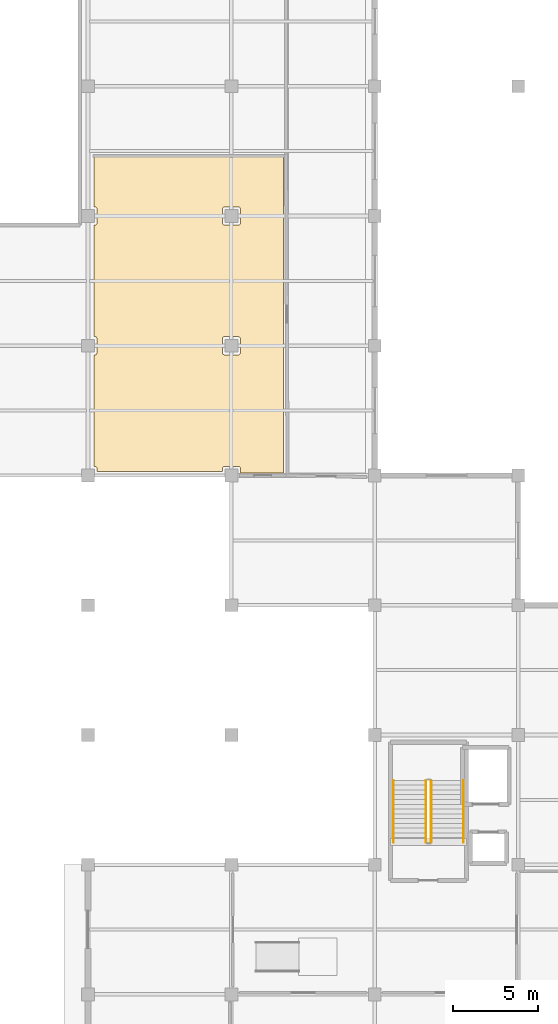
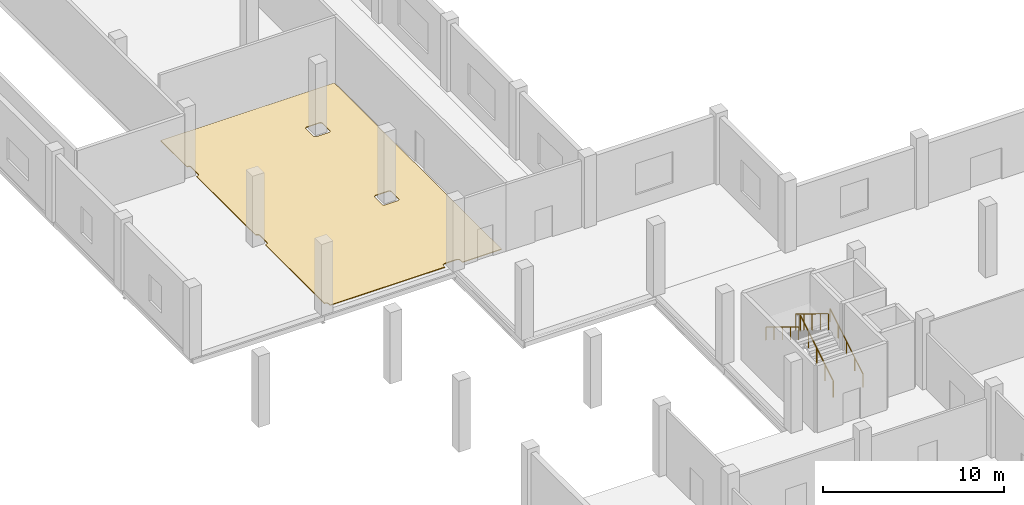
# One storey, part 29 of 36: 4 railings, 1 covering.
"""IFC4 building model written with IfcOpenShell, lengths in metres."""

import ifcopenshell
import ifcopenshell.guid

model = None  # the IFC model being written
_history = None  # IfcOwnerHistory: only IFC2X3 demands one
_inside = {}  # id of a spatial element -> (the spatial element, [elements in it])
_under = {}  # id of a project, library or spatial element -> (it, [spatial elements below it])
_declared = {}  # id of a project -> (the project, [libraries it declares])
_typed = {}  # id of a type object -> (the type object, [elements of that type])
_made_of = {}  # id of a material, layer set ... -> (it, [elements and type objects made of it])


def new_model(schema):
    """Start an empty IFC model of exactly this schema.

    Asked for "IFC4X3", IfcOpenShell would pick the latest addendum, in which some entities
    have other attributes; the version numbers below select the first issue.
    IFC2X3 requires an IfcOwnerHistory on every rooted entity: one is made here for all.
    """
    global model, _history
    if schema == "IFC4X3":
        model = ifcopenshell.file(schema_version=(4, 3, 0, 0))
    else:
        model = ifcopenshell.file(schema=schema)
    _inside.clear()
    _under.clear()
    _declared.clear()
    _typed.clear()
    _made_of.clear()
    _history = None
    if model.schema == "IFC2X3":
        org = make("IfcOrganization", Name="unknown")
        user = make(
            "IfcPersonAndOrganization",
            ThePerson=make("IfcPerson", FamilyName="unknown"),
            TheOrganization=org,
        )
        app = make(
            "IfcApplication",
            ApplicationDeveloper=org,
            Version="unknown",
            ApplicationFullName="unknown",
            ApplicationIdentifier="unknown",
        )
        _history = make(
            "IfcOwnerHistory",
            OwningUser=user,
            OwningApplication=app,
            ChangeAction="ADDED",
            CreationDate=0,
        )
    return model


def make(cls, **values):
    """One entity of the class cls with the attributes given. An attribute that is None is left unset."""
    return model.create_entity(
        cls, **{name: value for name, value in values.items() if value is not None}
    )


def rooted(cls, **values):
    """An entity with a GlobalId (a new one), such as an element, a storey or a relation."""
    return make(cls, GlobalId=ifcopenshell.guid.new(), OwnerHistory=_history, **values)


def si_unit(unit_type, name, prefix=None):
    """IfcSIUnit, for example si_unit("LENGTHUNIT", "METRE", prefix="MILLI")."""
    return make("IfcSIUnit", UnitType=unit_type, Prefix=prefix, Name=name)


def assignment(units):
    """IfcUnitAssignment: the units of a project."""
    return None if units is None else make("IfcUnitAssignment", Units=units)


def point(xyz):
    """IfcCartesianPoint."""
    return None if xyz is None else make("IfcCartesianPoint", Coordinates=xyz)


def direction(xyz):
    """IfcDirection."""
    return None if xyz is None else make("IfcDirection", DirectionRatios=xyz)


def frame(location, z_axis=None, x_axis=None):
    """IfcAxis2Placement3D, a coordinate frame: its origin and axes. An axis left out is left unset."""
    return make(
        "IfcAxis2Placement3D",
        Location=point(location),
        Axis=direction(z_axis),
        RefDirection=direction(x_axis),
    )


def frame_2d(location, x_axis=None):
    """IfcAxis2Placement2D, a coordinate frame in the plane: its origin and x axis."""
    return make(
        "IfcAxis2Placement2D", Location=point(location), RefDirection=direction(x_axis)
    )


def origin():
    """The frame at (0, 0, 0) with its axes left unset."""
    return frame((0.0, 0.0, 0.0))


def origin_2d():
    """The frame at (0, 0) in the plane with its x axis left unset."""
    return frame_2d((0.0, 0.0))


def place(relative_to, where):
    """IfcLocalPlacement: puts the frame where relative to a parent placement (None: the world)."""
    return make(
        "IfcLocalPlacement", PlacementRelTo=relative_to, RelativePlacement=where
    )


def context(
    kind, dimensions, precision=None, world=None, true_north=None, identifier=None
):
    """IfcGeometricRepresentationContext, for example the 3D "Model" context."""
    return make(
        "IfcGeometricRepresentationContext",
        ContextIdentifier=identifier,
        ContextType=kind,
        CoordinateSpaceDimension=dimensions,
        Precision=precision,
        WorldCoordinateSystem=world,
        TrueNorth=true_north,
    )


def subcontext(parent, identifier, kind, view, scale=None):
    """IfcGeometricRepresentationSubContext, for example "Body" below "Model"."""
    return make(
        "IfcGeometricRepresentationSubContext",
        ContextIdentifier=identifier,
        ContextType=kind,
        ParentContext=parent,
        TargetScale=scale,
        TargetView=view,
    )


def project(units=None, contexts=None):
    """IfcProject with its units and contexts."""
    return rooted(
        "IfcProject",
        Name="project",
        RepresentationContexts=contexts,
        UnitsInContext=assignment(units),
    )


def spatial(cls, under=None, at=None, **own):
    """A site, building, storey or space (cls), placed at a placement, below another one or the project."""
    s = rooted(cls, ObjectPlacement=at, **own)
    if under is not None:
        _under.setdefault(under.id(), (under, []))[1].append(s)
    return s


def polyline(points):
    """IfcPolyline through the points."""
    return make("IfcPolyline", Points=[point(p) for p in points])


def profile(cls, at=None, kind="AREA", **sizes):
    """A parametric profile (cls). Its sizes go by their IFC names, for example OverallWidth=200.0."""
    return make(cls, ProfileType=kind, Position=at, **sizes)


def circle(**sizes):
    """IfcCircleProfileDef."""
    return profile("IfcCircleProfileDef", **sizes)


def outline(outer, holes=None, kind="AREA"):
    """IfcArbitraryClosedProfileDef: a profile drawn as a closed curve; with holes, ...WithVoids."""
    if holes is None:
        return make("IfcArbitraryClosedProfileDef", ProfileType=kind, OuterCurve=outer)
    return make(
        "IfcArbitraryProfileDefWithVoids",
        ProfileType=kind,
        OuterCurve=outer,
        InnerCurves=holes,
    )


def extrude(swept, where, along, depth):
    """IfcExtrudedAreaSolid: the profile swept, set in the frame where, extruded along a direction by depth."""
    return make(
        "IfcExtrudedAreaSolid",
        SweptArea=swept,
        Position=where,
        ExtrudedDirection=direction(along),
        Depth=depth,
    )


def shape(context_of_items, identifier, shape_type, items):
    """IfcShapeRepresentation: the items that make up one representation, for example the "Body"."""
    return make(
        "IfcShapeRepresentation",
        ContextOfItems=context_of_items,
        RepresentationIdentifier=identifier,
        RepresentationType=shape_type,
        Items=items,
    )


def material(Name=None, Category=None):
    """IfcMaterial."""
    return make("IfcMaterial", Name=Name, Category=Category)


def layer(
    of_material, thickness, ventilated=None, Name=None, Category=None, Priority=None
):
    """IfcMaterialLayer: one layer of a wall or slab, of a material (None: an air gap)."""
    return make(
        "IfcMaterialLayer",
        Material=of_material,
        LayerThickness=thickness,
        IsVentilated=ventilated,
        Name=Name,
        Category=Category,
        Priority=Priority,
    )


def layer_set(layers, Name=None):
    """IfcMaterialLayerSet."""
    return make("IfcMaterialLayerSet", MaterialLayers=layers, LayerSetName=Name)


def made_of(thing, what):
    """Note that an element or type object is made of a material, layer set ...; save() writes the relation."""
    if what is not None:
        _made_of.setdefault(what.id(), (what, []))[1].append(thing)
    return thing


def type_object(cls, material=None, **own):
    """A type object (cls), such as IfcWallType, which elements share."""
    return made_of(rooted(cls, **own), material)


def element(
    cls,
    number,
    at=None,
    inside=None,
    cuts=None,
    type_object=None,
    material=None,
    context=None,
    identifier="Body",
    shape_type=None,
    held_by="IfcProductDefinitionShape",
    body=None,
    shapes=None,
    **own,
):
    """One element of the class cls, such as IfcWall. Its Tag is "e" and its number.

    at: its placement. inside: the storey or other place that contains it. cuts: it is an
    opening in that element (IfcRelVoidsElement). A single representation is given by context,
    identifier, shape_type and body (its items); several are given by shapes. held_by: the class
    of the entity that holds the representations. save() writes the other relations.
    """
    e = rooted(cls, Tag="e%d" % number, ObjectPlacement=at, **own)
    if body is not None:
        shapes = [shape(context, identifier, shape_type, body)]
    if shapes is not None:
        e.Representation = make(held_by, Representations=shapes)
    if inside is not None:
        _inside.setdefault(inside.id(), (inside, []))[1].append(e)
    if cuts is not None:
        rooted(
            "IfcRelVoidsElement", RelatingBuildingElement=cuts, RelatedOpeningElement=e
        )
    if type_object is not None:
        _typed.setdefault(type_object.id(), (type_object, []))[1].append(e)
    return made_of(e, material)


def aggregate(whole, parts):
    """IfcRelAggregates: a whole, such as a stair, and the parts it consists of."""
    return rooted("IfcRelAggregates", RelatingObject=whole, RelatedObjects=parts)


def save(model, path):
    """Write the relations noted so far, then the file.

    IfcRelAggregates (storeys below a building ...), IfcRelContainedInSpatialStructure (elements
    in a storey), IfcRelDefinesByType, IfcRelAssociatesMaterial and IfcRelDeclares: one each for
    every whole, place, type object, material and project.
    """
    for whole, parts in _under.values():
        aggregate(whole, parts)
    for where, things in _inside.values():
        rooted(
            "IfcRelContainedInSpatialStructure",
            RelatedElements=things,
            RelatingStructure=where,
        )
    for kind, things in _typed.values():
        rooted("IfcRelDefinesByType", RelatedObjects=things, RelatingType=kind)
    for what, things in _made_of.values():
        rooted("IfcRelAssociatesMaterial", RelatedObjects=things, RelatingMaterial=what)
    for by, libraries in _declared.values():
        rooted("IfcRelDeclares", RelatingContext=by, RelatedDefinitions=libraries)
    model.write(path)


model = new_model("IFC4")

# Units and contexts
model_context = context("Model", 3, precision=1e-05, world=origin(), true_north=direction((0.0, 1.0)))
body_context = subcontext(model_context, "Body", "Model", "MODEL_VIEW")
ifc_project = project(units=[si_unit("LENGTHUNIT", "METRE"), si_unit("AREAUNIT", "SQUARE_METRE"), si_unit("VOLUMEUNIT", "CUBIC_METRE"), si_unit("PLANEANGLEUNIT", "RADIAN"), si_unit("MASSUNIT", "GRAM", prefix="KILO")], contexts=[model_context])

# Site, building, storey
site_placement = place(None, origin())
site = spatial("IfcSite", under=ifc_project, at=site_placement, CompositionType="ELEMENT")
building_placement = place(site_placement, origin())
building = spatial("IfcBuilding", under=site, at=building_placement, Name="Zuvorla Pavilion Media Centre", CompositionType="ELEMENT")
storey_placement = place(building_placement, origin())
storey = spatial("IfcBuildingStorey", under=building, at=storey_placement, Name="L00", CompositionType="ELEMENT", Elevation=0.0)

# Covering
ifc_material_1 = material(Name="Floating resilient acoustic hardwood studio floor", Category="wood")
ifc_layer = layer(ifc_material_1, 0.050048828125)
ifc_layer_set = layer_set([ifc_layer], Name="Floating resilient acoustic hardwood studio floor")
covering_type = type_object("IfcCoveringType", Name="COV-FLR-ACOUST", PredefinedType="FLOORING", material=ifc_layer_set)
covering_placement = place(storey_placement, origin())
element("IfcCovering", 1, at=covering_placement, inside=storey, type_object=covering_type, Name="L00 acoustic studio floor 2", PredefinedType="FLOORING", context=body_context, shape_type="SweptSolid", body=[
    extrude(outline(polyline([(33.735107421875, 59.360107421875), (33.735107421875, 59.5849609375), (33.734375, 59.599609375), (33.732177734375, 59.6142578125), (33.728515625, 59.62841796875), (33.7236328125, 59.642333984375), (33.71728515625, 59.65576171875), (33.709716796875, 59.668212890625), (33.700927734375, 59.68017578125), (33.691162109375, 59.691162109375), (33.68017578125, 59.700927734375), (33.668212890625, 59.709716796875), (33.65576171875, 59.71728515625), (33.642333984375, 59.7236328125), (33.62841796875, 59.728515625), (33.6142578125, 59.732177734375), (33.599609375, 59.734375), (33.5849609375, 59.735107421875), (32.81494140625, 59.735107421875), (32.80029296875, 59.734375), (32.78564453125, 59.732177734375), (32.771484375, 59.728515625), (32.757568359375, 59.7236328125), (32.744384765625, 59.71728515625), (32.731689453125, 59.709716796875), (32.7197265625, 59.700927734375), (32.708984375, 59.691162109375), (32.698974609375, 59.68017578125), (32.690185546875, 59.668212890625), (32.6826171875, 59.65576171875), (32.676513671875, 59.642333984375), (32.67138671875, 59.62841796875), (32.66796875, 59.6142578125), (32.665771484375, 59.599609375), (32.6650390625, 59.5849609375), (32.6650390625, 59.429931640625), (25.3349609375, 59.429931640625), (25.3349609375, 59.5849609375), (25.334228515625, 59.599609375), (25.33203125, 59.6142578125), (25.32861328125, 59.62841796875), (25.323486328125, 59.642333984375), (25.3173828125, 59.65576171875), (25.309814453125, 59.668212890625), (25.301025390625, 59.68017578125), (25.291015625, 59.691162109375), (25.2802734375, 59.700927734375), (25.268310546875, 59.709716796875), (25.255615234375, 59.71728515625), (25.242431640625, 59.7236328125), (25.228515625, 59.728515625), (25.21435546875, 59.732177734375), (25.19970703125, 59.734375), (25.18505859375, 59.735107421875), (25.14990234375, 59.735107421875), (25.14990234375, 66.264892578125), (25.18505859375, 66.264892578125), (25.19970703125, 66.265625), (25.21435546875, 66.267822265625), (25.228515625, 66.271484375), (25.242431640625, 66.2763671875), (25.255615234375, 66.28271484375), (25.268310546875, 66.290283203125), (25.2802734375, 66.299072265625), (25.291015625, 66.308837890625), (25.301025390625, 66.31982421875), (25.309814453125, 66.331787109375), (25.3173828125, 66.34423828125), (25.323486328125, 66.357666015625), (25.32861328125, 66.37158203125), (25.33203125, 66.3857421875), (25.334228515625, 66.400390625), (25.3349609375, 66.4150390625), (25.3349609375, 67.18505859375), (25.334228515625, 67.19970703125), (25.33203125, 67.21435546875), (25.32861328125, 67.228515625), (25.323486328125, 67.242431640625), (25.3173828125, 67.255615234375), (25.309814453125, 67.268310546875), (25.301025390625, 67.2802734375), (25.291015625, 67.291015625), (25.2802734375, 67.301025390625), (25.268310546875, 67.309814453125), (25.255615234375, 67.3173828125), (25.242431640625, 67.323486328125), (25.228515625, 67.32861328125), (25.21435546875, 67.33203125), (25.19970703125, 67.334228515625), (25.18505859375, 67.3349609375), (25.14990234375, 67.3349609375), (25.14990234375, 73.864990234375), (25.18505859375, 73.864990234375), (25.19970703125, 73.86572265625), (25.21435546875, 73.867919921875), (25.228515625, 73.87158203125), (25.242431640625, 73.87646484375), (25.255615234375, 73.8828125), (25.268310546875, 73.890380859375), (25.2802734375, 73.89892578125), (25.291015625, 73.908935546875), (25.301025390625, 73.919921875), (25.309814453125, 73.931640625), (25.3173828125, 73.9443359375), (25.323486328125, 73.95751953125), (25.32861328125, 73.971435546875), (25.33203125, 73.985595703125), (25.334228515625, 74.000244140625), (25.3349609375, 74.014892578125), (25.3349609375, 74.784912109375), (25.334228515625, 74.7998046875), (25.33203125, 74.814208984375), (25.32861328125, 74.82861328125), (25.323486328125, 74.84228515625), (25.3173828125, 74.855712890625), (25.309814453125, 74.868408203125), (25.301025390625, 74.880126953125), (25.291015625, 74.89111328125), (25.2802734375, 74.90087890625), (25.268310546875, 74.90966796875), (25.255615234375, 74.917236328125), (25.242431640625, 74.923583984375), (25.228515625, 74.928466796875), (25.21435546875, 74.93212890625), (25.19970703125, 74.934326171875), (25.18505859375, 74.93505859375), (25.14990234375, 74.93505859375), (25.14990234375, 77.85009765625), (36.239990234375, 77.85009765625), (36.239990234375, 59.360107421875), (33.735107421875, 59.360107421875)]), holes=[polyline([(32.81494140625, 67.3349609375), (32.80029296875, 67.334228515625), (32.78564453125, 67.33203125), (32.771484375, 67.32861328125), (32.757568359375, 67.323486328125), (32.744384765625, 67.3173828125), (32.731689453125, 67.309814453125), (32.7197265625, 67.301025390625), (32.708984375, 67.291015625), (32.698974609375, 67.2802734375), (32.690185546875, 67.268310546875), (32.6826171875, 67.255615234375), (32.676513671875, 67.242431640625), (32.67138671875, 67.228515625), (32.66796875, 67.21435546875), (32.665771484375, 67.19970703125), (32.6650390625, 67.18505859375), (32.6650390625, 66.4150390625), (32.665771484375, 66.400390625), (32.66796875, 66.3857421875), (32.67138671875, 66.37158203125), (32.676513671875, 66.357666015625), (32.6826171875, 66.34423828125), (32.690185546875, 66.331787109375), (32.698974609375, 66.31982421875), (32.708984375, 66.308837890625), (32.7197265625, 66.299072265625), (32.731689453125, 66.290283203125), (32.744384765625, 66.28271484375), (32.757568359375, 66.2763671875), (32.771484375, 66.271484375), (32.78564453125, 66.267822265625), (32.80029296875, 66.265625), (32.81494140625, 66.264892578125), (33.5849609375, 66.264892578125), (33.599609375, 66.265625), (33.6142578125, 66.267822265625), (33.62841796875, 66.271484375), (33.642333984375, 66.2763671875), (33.65576171875, 66.28271484375), (33.668212890625, 66.290283203125), (33.68017578125, 66.299072265625), (33.691162109375, 66.308837890625), (33.700927734375, 66.31982421875), (33.709716796875, 66.331787109375), (33.71728515625, 66.34423828125), (33.7236328125, 66.357666015625), (33.728515625, 66.37158203125), (33.732177734375, 66.3857421875), (33.734375, 66.400390625), (33.735107421875, 66.4150390625), (33.735107421875, 67.18505859375), (33.734375, 67.19970703125), (33.732177734375, 67.21435546875), (33.728515625, 67.228515625), (33.7236328125, 67.242431640625), (33.71728515625, 67.255615234375), (33.709716796875, 67.268310546875), (33.700927734375, 67.2802734375), (33.691162109375, 67.291015625), (33.68017578125, 67.301025390625), (33.668212890625, 67.309814453125), (33.65576171875, 67.3173828125), (33.642333984375, 67.323486328125), (33.62841796875, 67.32861328125), (33.6142578125, 67.33203125), (33.599609375, 67.334228515625), (33.5849609375, 67.3349609375), (32.81494140625, 67.3349609375)]), polyline([(32.81494140625, 74.93505859375), (32.80029296875, 74.934326171875), (32.78564453125, 74.93212890625), (32.771484375, 74.928466796875), (32.757568359375, 74.923583984375), (32.744384765625, 74.917236328125), (32.731689453125, 74.90966796875), (32.7197265625, 74.90087890625), (32.708984375, 74.89111328125), (32.698974609375, 74.880126953125), (32.690185546875, 74.868408203125), (32.6826171875, 74.855712890625), (32.676513671875, 74.84228515625), (32.67138671875, 74.82861328125), (32.66796875, 74.814208984375), (32.665771484375, 74.7998046875), (32.6650390625, 74.784912109375), (32.6650390625, 74.014892578125), (32.665771484375, 74.000244140625), (32.66796875, 73.985595703125), (32.67138671875, 73.971435546875), (32.676513671875, 73.95751953125), (32.6826171875, 73.9443359375), (32.690185546875, 73.931640625), (32.698974609375, 73.919921875), (32.708984375, 73.908935546875), (32.7197265625, 73.89892578125), (32.731689453125, 73.890380859375), (32.744384765625, 73.8828125), (32.757568359375, 73.87646484375), (32.771484375, 73.87158203125), (32.78564453125, 73.867919921875), (32.80029296875, 73.86572265625), (32.81494140625, 73.864990234375), (33.5849609375, 73.864990234375), (33.599609375, 73.86572265625), (33.6142578125, 73.867919921875), (33.62841796875, 73.87158203125), (33.642333984375, 73.87646484375), (33.65576171875, 73.8828125), (33.668212890625, 73.890380859375), (33.68017578125, 73.89892578125), (33.691162109375, 73.908935546875), (33.700927734375, 73.919921875), (33.709716796875, 73.931640625), (33.71728515625, 73.9443359375), (33.7236328125, 73.95751953125), (33.728515625, 73.971435546875), (33.732177734375, 73.985595703125), (33.734375, 74.000244140625), (33.735107421875, 74.014892578125), (33.735107421875, 74.784912109375), (33.734375, 74.7998046875), (33.732177734375, 74.814208984375), (33.728515625, 74.82861328125), (33.7236328125, 74.84228515625), (33.71728515625, 74.855712890625), (33.709716796875, 74.868408203125), (33.700927734375, 74.880126953125), (33.691162109375, 74.89111328125), (33.68017578125, 74.90087890625), (33.668212890625, 74.90966796875), (33.65576171875, 74.917236328125), (33.642333984375, 74.923583984375), (33.62841796875, 74.928466796875), (33.6142578125, 74.93212890625), (33.599609375, 74.934326171875), (33.5849609375, 74.93505859375), (32.81494140625, 74.93505859375)])]), origin(), (0.0, 0.0, 1.0), 0.050048828125),
])

# Railings
ifc_material_2 = material(Name="Powder-coated steel balustrade guard", Category="steel")
railing_type_1 = type_object("IfcRailingType", Name="RL-INT-GRD", PredefinedType="BALUSTRADE", material=ifc_material_2)
railing_1_placement = place(storey_placement, frame((44.89990234375, 37.699951171875, 0.17138671875)))
element("IfcRailing", 2, at=railing_1_placement, inside=storey, type_object=railing_type_1, Name="L00 ST-03 stair guard 1", PredefinedType="BALUSTRADE", context=body_context, shape_type="SweptSolid", body=[
    extrude(circle(Radius=0.02392578125, at=origin_2d()), frame((0.0, 0.024658203125, 1.111083984375), z_axis=(0.0, 0.852865859571, 0.52213008492), x_axis=(-1.0, 0.0, 0.0)), (0.0, 0.0, 1.0), 4.21044921875),
    extrude(circle(Radius=0.02099609375, at=origin_2d()), origin(), (0.0, 0.0, 1.0), 1.070068359375),
    extrude(circle(Radius=0.02099609375, at=origin_2d()), frame((0.0, 0.91015625, 0.55712890625)), (0.0, 0.0, 1.0), 1.070068359375),
    extrude(circle(Radius=0.02099609375, at=origin_2d()), frame((0.0, 1.820068359375, 1.1142578125)), (0.0, 0.0, 1.0), 1.070068359375),
    extrude(circle(Radius=0.02099609375, at=origin_2d()), frame((0.0, 2.72998046875, 1.67138671875)), (0.0, 0.0, 1.0), 1.070068359375),
    extrude(circle(Radius=0.02099609375, at=origin_2d()), frame((0.0, 3.64013671875, 2.228515625)), (0.0, 0.0, 1.0), 1.070068359375),
])
railing_2_placement = place(storey_placement, frame((44.60009765625, 41.340087890625, 2.571533203125)))
element("IfcRailing", 3, at=railing_2_placement, inside=storey, type_object=railing_type_1, Name="L00 ST-03 stair guard 3", PredefinedType="BALUSTRADE", context=body_context, shape_type="SweptSolid", body=[
    extrude(circle(Radius=0.02392578125, at=origin_2d()), frame((0.0, -0.024658203125, 1.111083984375), z_axis=(0.0, -0.852865859571, 0.52213008492), x_axis=(1.0, 0.0, 0.0)), (0.0, 0.0, 1.0), 4.21044921875),
    extrude(circle(Radius=0.02099609375, at=origin_2d()), origin(), (0.0, 0.0, 1.0), 1.070068359375),
    extrude(circle(Radius=0.02099609375, at=origin_2d()), frame((0.0, -0.91015625, 0.55712890625)), (0.0, 0.0, 1.0), 1.070068359375),
    extrude(circle(Radius=0.02099609375, at=origin_2d()), frame((0.0, -1.820068359375, 1.1142578125)), (0.0, 0.0, 1.0), 1.070068359375),
    extrude(circle(Radius=0.02099609375, at=origin_2d()), frame((0.0, -2.72998046875, 1.67138671875)), (0.0, 0.0, 1.0), 1.070068359375),
    extrude(circle(Radius=0.02099609375, at=origin_2d()), frame((0.0, -3.64013671875, 2.228515625)), (0.0, 0.0, 1.0), 1.070068359375),
])
ifc_material_3 = material(Name="Brushed stainless steel tubular handrail", Category="steel")
railing_type_2 = type_object("IfcRailingType", Name="RL-INT-HND", PredefinedType="HANDRAIL", material=ifc_material_3)
railing_3_placement = place(storey_placement, frame((46.800048828125, 37.699951171875, 0.17138671875)))
element("IfcRailing", 4, at=railing_3_placement, inside=storey, type_object=railing_type_2, Name="L00 ST-03 handrail 1", PredefinedType="HANDRAIL", context=body_context, shape_type="SweptSolid", body=[
    extrude(circle(Radius=0.02392578125, at=origin_2d()), frame((0.0, 0.024658203125, 0.890869140625), z_axis=(0.0, 0.852865859571, 0.52213008492), x_axis=(-1.0, 0.0, 0.0)), (0.0, 0.0, 1.0), 4.21044921875),
    extrude(circle(Radius=0.02099609375, at=origin_2d()), origin(), (0.0, 0.0, 1.0), 0.849853515625),
    extrude(circle(Radius=0.02099609375, at=origin_2d()), frame((0.0, 0.91015625, 0.55712890625)), (0.0, 0.0, 1.0), 0.849853515625),
    extrude(circle(Radius=0.02099609375, at=origin_2d()), frame((0.0, 1.820068359375, 1.1142578125)), (0.0, 0.0, 1.0), 0.849853515625),
    extrude(circle(Radius=0.02099609375, at=origin_2d()), frame((0.0, 2.72998046875, 1.67138671875)), (0.0, 0.0, 1.0), 0.849853515625),
    extrude(circle(Radius=0.02099609375, at=origin_2d()), frame((0.0, 3.64013671875, 2.228515625)), (0.0, 0.0, 1.0), 0.849853515625),
])
railing_4_placement = place(storey_placement, frame((42.699951171875, 41.340087890625, 2.571533203125)))
element("IfcRailing", 5, at=railing_4_placement, inside=storey, type_object=railing_type_2, Name="L00 ST-03 handrail 2", PredefinedType="HANDRAIL", context=body_context, shape_type="SweptSolid", body=[
    extrude(circle(Radius=0.02392578125, at=origin_2d()), frame((0.0, -0.024658203125, 0.890869140625), z_axis=(0.0, -0.852865859571, 0.52213008492), x_axis=(1.0, 0.0, 0.0)), (0.0, 0.0, 1.0), 4.21044921875),
    extrude(circle(Radius=0.02099609375, at=origin_2d()), origin(), (0.0, 0.0, 1.0), 0.849853515625),
    extrude(circle(Radius=0.02099609375, at=origin_2d()), frame((0.0, -0.91015625, 0.55712890625)), (0.0, 0.0, 1.0), 0.849853515625),
    extrude(circle(Radius=0.02099609375, at=origin_2d()), frame((0.0, -1.820068359375, 1.1142578125)), (0.0, 0.0, 1.0), 0.849853515625),
    extrude(circle(Radius=0.02099609375, at=origin_2d()), frame((0.0, -2.72998046875, 1.67138671875)), (0.0, 0.0, 1.0), 0.849853515625),
    extrude(circle(Radius=0.02099609375, at=origin_2d()), frame((0.0, -3.64013671875, 2.228515625)), (0.0, 0.0, 1.0), 0.849853515625),
])

save(model, "model.ifc")
